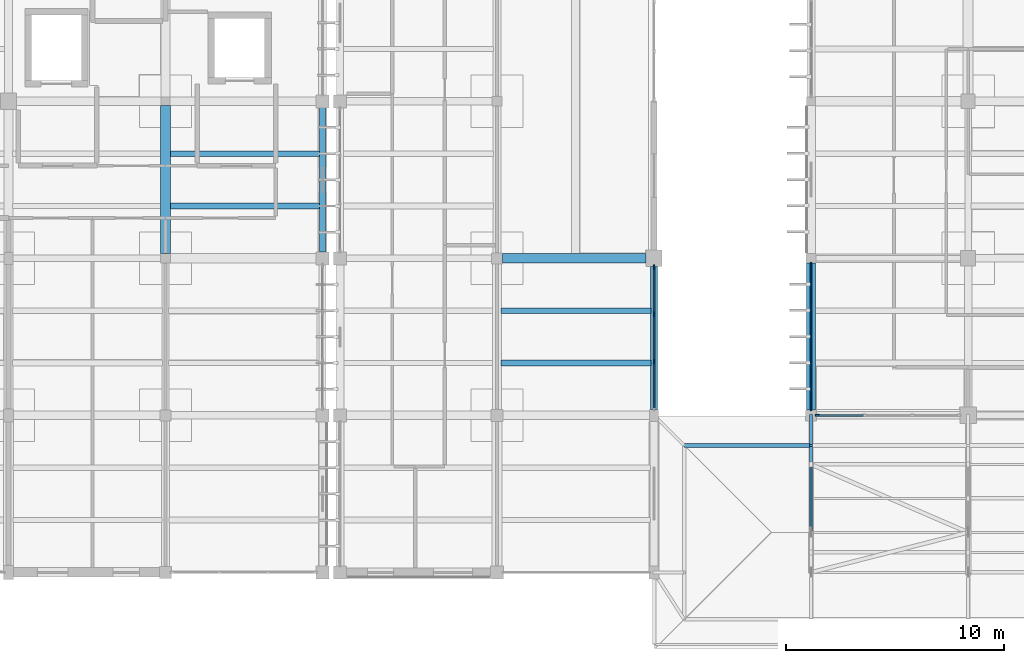
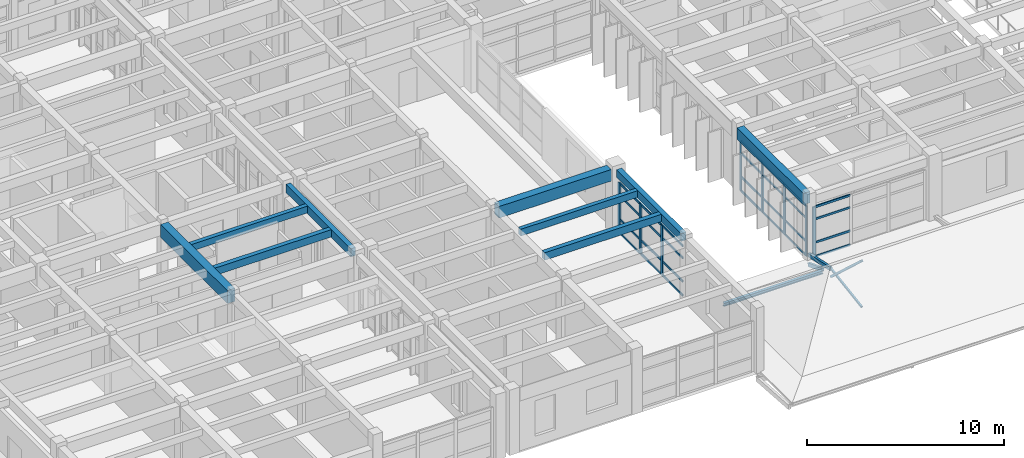
# One storey, part 19 of 100: 41 members, 9 beams, 3 elements without a shape of their own.
"""IFC4 building model written with IfcOpenShell, lengths in metres."""

from ifc_helpers import new_model, si_unit, direction, frame, origin, origin_2d, place, context, subcontext, project, spatial, rectangle, hollow_rectangle, i_section, extrude, material, material_profile, profile_set, type_object, element, aggregate, save


model = new_model("IFC4")

# Units and contexts
model_context = context("Model", 3, precision=1e-05, world=origin(), true_north=direction((0.0, 1.0)))
body_context = subcontext(model_context, "Body", "Model", "MODEL_VIEW")
ifc_project = project(units=[si_unit("LENGTHUNIT", "METRE"), si_unit("AREAUNIT", "SQUARE_METRE"), si_unit("VOLUMEUNIT", "CUBIC_METRE"), si_unit("PLANEANGLEUNIT", "RADIAN"), si_unit("MASSUNIT", "GRAM", prefix="KILO")], contexts=[model_context])

# Site, building, storey
site_placement = place(None, origin())
site = spatial("IfcSite", under=ifc_project, at=site_placement, CompositionType="ELEMENT")
building_placement = place(site_placement, origin())
building = spatial("IfcBuilding", under=site, at=building_placement, Name="Steenspoor Specialist Clinic", CompositionType="ELEMENT")
storey_placement = place(building_placement, frame((0.0, 0.0, 9.0)))
storey = spatial("IfcBuildingStorey", under=building, at=storey_placement, Name="L02", CompositionType="ELEMENT", Elevation=9.0)

# Beams
ifc_material_1 = material(Name="Concrete C35/45", Category="concrete")
ifc_material_profile_1 = material_profile(ifc_material_1, rectangle(XDim=0.300048828125, YDim=0.47998046875, at=origin_2d()), Name="RC-BM-300X480")
ifc_profile_set_1 = profile_set([ifc_material_profile_1], Name="Concrete C35/45")
beam_type_1 = type_object("IfcBeamType", Name="BM-RC-300X480", PredefinedType="BEAM", material=ifc_profile_set_1)
beam_1_placement = place(storey_placement, frame((66.800048828125, 72.6201171875, 3.7099609375), z_axis=(0.0, 1.0, 0.0), x_axis=(-1.0, 0.0, 0.0)))
element("IfcBeam", 1, at=beam_1_placement, inside=storey, type_object=beam_type_1, Name="BM-V4-L02-Y0698", PredefinedType="BEAM", context=body_context, shape_type="SweptSolid", body=[
    extrude(rectangle(XDim=0.300048828125, YDim=0.47998046875, at=origin_2d()), origin(), (0.0, 0.0, 1.0), 6.559814453125),
])
ifc_material_profile_2 = material_profile(ifc_material_1, rectangle(XDim=0.39990234375, YDim=0.699951171875, at=origin_2d()), Name="RC-BM-400X700")
ifc_profile_set_2 = profile_set([ifc_material_profile_2], Name="Concrete C35/45")
beam_type_2 = type_object("IfcBeamType", Name="BM-RC-400X700", PredefinedType="BEAM", material=ifc_profile_set_2)
beam_2_placement = place(storey_placement, frame((74.0, 72.594970703125, 3.60009765625), z_axis=(0.0, 1.0, 0.0), x_axis=(-1.0, 0.0, 0.0)))
element("IfcBeam", 2, at=beam_2_placement, inside=storey, type_object=beam_type_2, Name="BM-V4-L02-Y0701", PredefinedType="BEAM", context=body_context, shape_type="SweptSolid", body=[
    extrude(rectangle(XDim=0.39990234375, YDim=0.699951171875, at=origin_2d()), origin(), (0.0, 0.0, 1.0), 6.735107421875),
])
ifc_material_profile_3 = material_profile(ifc_material_1, rectangle(XDim=0.449951171875, YDim=0.719970703125, at=origin_2d()), Name="RC-BM-450X720")
ifc_profile_set_3 = profile_set([ifc_material_profile_3], Name="Concrete C35/45")
beam_type_3 = type_object("IfcBeamType", Name="BM-RC-450X720", PredefinedType="BEAM", material=ifc_profile_set_3)
beam_3_placement = place(storey_placement, frame((59.844970703125, 79.550048828125, 3.590087890625), z_axis=(1.0, 0.0, 0.0), x_axis=(0.0, 1.0, 0.0)))
element("IfcBeam", 3, at=beam_3_placement, inside=storey, type_object=beam_type_3, Name="BM-V4-L02-X0650", PredefinedType="BEAM", context=body_context, shape_type="SweptSolid", body=[
    extrude(rectangle(XDim=0.449951171875, YDim=0.719970703125, at=origin_2d()), origin(), (0.0, 0.0, 1.0), 6.5849609375),
])
ifc_material_profile_4 = material_profile(ifc_material_1, rectangle(XDim=0.449951171875, YDim=0.800048828125, at=origin_2d()), Name="RC-BM-450X800")
ifc_profile_set_4 = profile_set([ifc_material_profile_4], Name="Concrete C35/45")
beam_type_4 = type_object("IfcBeamType", Name="BM-RC-450X800", PredefinedType="BEAM", material=ifc_profile_set_4)
beam_4_placement = place(storey_placement, frame((44.39990234375, 79.77001953125, 3.550048828125), z_axis=(0.0, 1.0, 0.0), x_axis=(-1.0, 0.0, 0.0)))
element("IfcBeam", 4, at=beam_4_placement, inside=storey, type_object=beam_type_4, Name="BM-V5-L02-Y1288", PredefinedType="BEAM", context=body_context, shape_type="SweptSolid", body=[
    extrude(rectangle(XDim=0.449951171875, YDim=0.800048828125, at=origin_2d()), origin(), (0.0, 0.0, 1.0), 6.784912109375),
])

# Curtain wall, members
ifc_material_2 = material(Name="Thermally broken aluminium and low-emissivity glass", Category="aluminium")
curtain_wall_type_1 = type_object("IfcCurtainWallType", Name="CW-HALL-650X820", PredefinedType="USERDEFINED", material=ifc_material_2)
curtain_wall_1_placement = place(storey_placement, origin())
curtain_wall_1 = element("IfcCurtainWall", 5, at=curtain_wall_1_placement, inside=storey, type_object=curtain_wall_type_1, Name="Unitised Curtain Wall CW-V4-L02-098", ObjectType="UNITISED GLAZING", PredefinedType="USERDEFINED")
ifc_material_3 = material(Name="Thermally broken aluminium 6063-T6", Category="aluminium")
ifc_material_profile_5 = material_profile(ifc_material_3, rectangle(XDim=0.070068359375, YDim=0.1650390625, at=origin_2d()), Name="CWM-70X165")
ifc_profile_set_5 = profile_set([ifc_material_profile_5], Name="Thermally broken aluminium 6063-T6")
member_type_1 = type_object("IfcMemberType", Name="CW-MULL-70X165", PredefinedType="MULLION", material=ifc_profile_set_5)
member_1_placement = place(storey_placement, frame((74.0, 72.635009765625, 0.0), z_axis=(0.0, 0.0, 1.0), x_axis=(-1.0, 0.0, 0.0)))
member_1 = element("IfcMember", 6, at=member_1_placement, type_object=member_type_1, Name="CW-02 mullion 1", PredefinedType="MULLION", context=body_context, shape_type="SweptSolid", body=[
    extrude(rectangle(XDim=0.070068359375, YDim=0.1650390625, at=origin_2d()), origin(), (0.0, 0.0, 1.0), 3.1298828125),
])
member_2_placement = place(storey_placement, frame((74.0, 74.841552734375, 0.0), z_axis=(0.0, 0.0, 1.0), x_axis=(-1.0, 0.0, 0.0)))
member_2 = element("IfcMember", 7, at=member_2_placement, type_object=member_type_1, Name="CW-02 mullion 2", PredefinedType="MULLION", context=body_context, shape_type="SweptSolid", body=[
    extrude(rectangle(XDim=0.070068359375, YDim=0.1650390625, at=origin_2d()), origin(), (0.0, 0.0, 1.0), 3.1298828125),
])
member_3_placement = place(storey_placement, frame((74.0, 77.083251953125, 0.0), z_axis=(0.0, 0.0, 1.0), x_axis=(-1.0, 0.0, 0.0)))
member_3 = element("IfcMember", 8, at=member_3_placement, type_object=member_type_1, Name="CW-02 mullion 3", PredefinedType="MULLION", context=body_context, shape_type="SweptSolid", body=[
    extrude(rectangle(XDim=0.070068359375, YDim=0.1650390625, at=origin_2d()), origin(), (0.0, 0.0, 1.0), 3.1298828125),
])
member_4_placement = place(storey_placement, frame((74.0, 79.2900390625, 0.0), z_axis=(0.0, 0.0, 1.0), x_axis=(-1.0, 0.0, 0.0)))
member_4 = element("IfcMember", 9, at=member_4_placement, type_object=member_type_1, Name="CW-02 mullion 4", PredefinedType="MULLION", context=body_context, shape_type="SweptSolid", body=[
    extrude(rectangle(XDim=0.070068359375, YDim=0.1650390625, at=origin_2d()), origin(), (0.0, 0.0, 1.0), 3.1298828125),
])

# Curtain wall, member
curtain_wall_type_2 = type_object("IfcCurtainWallType", Name="CW-HALL-660X820", PredefinedType="USERDEFINED", material=ifc_material_2)
curtain_wall_2_placement = place(storey_placement, origin())
curtain_wall_2 = element("IfcCurtainWall", 10, at=curtain_wall_2_placement, inside=storey, type_object=curtain_wall_type_2, Name="Unitised Curtain Wall CW-V4-L02-097", ObjectType="UNITISED GLAZING", PredefinedType="USERDEFINED")
ifc_material_profile_6 = material_profile(ifc_material_3, rectangle(XDim=0.080078125, YDim=0.179931640625, at=origin_2d()), Name="CWM-80X180")
ifc_profile_set_6 = profile_set([ifc_material_profile_6], Name="Thermally broken aluminium 6063-T6")
member_type_2 = type_object("IfcMemberType", Name="CW-MULL-80X180", PredefinedType="MULLION", material=ifc_profile_set_6)
member_5_placement = place(storey_placement, frame((74.2900390625, 72.35009765625, 0.0), z_axis=(0.0, 0.0, 1.0), x_axis=(0.0, -1.0, 0.0)))
member_5 = element("IfcMember", 11, at=member_5_placement, type_object=member_type_2, Name="CW-01 mullion 4", PredefinedType="MULLION", context=body_context, shape_type="SweptSolid", body=[
    extrude(rectangle(XDim=0.080078125, YDim=0.179931640625, at=origin_2d()), origin(), (0.0, 0.0, 1.0), 3.1298828125),
])

# Curtain wall, members
curtain_wall_type_3 = type_object("IfcCurtainWallType", Name="CW-L00-480X415", PredefinedType="USERDEFINED", material=ifc_material_2)
curtain_wall_3_placement = place(storey_placement, origin())
curtain_wall_3 = element("IfcCurtainWall", 12, at=curtain_wall_3_placement, inside=storey, type_object=curtain_wall_type_3, Name="Unitised Curtain Wall CW-V4-L02-102", ObjectType="UNITISED GLAZING", PredefinedType="USERDEFINED")
ifc_material_profile_7 = material_profile(ifc_material_3, rectangle(XDim=0.080078125, YDim=0.219970703125, at=origin_2d()), Name="CWM-80X220")
ifc_profile_set_7 = profile_set([ifc_material_profile_7], Name="Thermally broken aluminium 6063-T6")
member_type_3 = type_object("IfcMemberType", Name="CW-MULL-80X220", PredefinedType="MULLION", material=ifc_profile_set_7)
member_6_placement = place(storey_placement, frame((66.800048828125, 79.135009765625, 0.0), z_axis=(0.0, 0.0, 1.0), x_axis=(1.0, 0.0, 0.0)))
member_6 = element("IfcMember", 13, at=member_6_placement, type_object=member_type_3, Name="CW-06 mullion 1", PredefinedType="MULLION", context=body_context, shape_type="SweptSolid", body=[
    extrude(rectangle(XDim=0.080078125, YDim=0.219970703125, at=origin_2d()), origin(), (0.0, 0.0, 1.0), 3.1298828125),
])
member_7_placement = place(storey_placement, frame((66.800048828125, 76.99169921875, 0.0), z_axis=(0.0, 0.0, 1.0), x_axis=(1.0, 0.0, 0.0)))
member_7 = element("IfcMember", 14, at=member_7_placement, type_object=member_type_3, Name="CW-06 mullion 2", PredefinedType="MULLION", context=body_context, shape_type="SweptSolid", body=[
    extrude(rectangle(XDim=0.080078125, YDim=0.219970703125, at=origin_2d()), origin(), (0.0, 0.0, 1.0), 3.1298828125),
])
member_8_placement = place(storey_placement, frame((66.800048828125, 74.808349609375, 0.0), z_axis=(0.0, 0.0, 1.0), x_axis=(1.0, 0.0, 0.0)))
member_8 = element("IfcMember", 15, at=member_8_placement, type_object=member_type_3, Name="CW-06 mullion 3", PredefinedType="MULLION", context=body_context, shape_type="SweptSolid", body=[
    extrude(rectangle(XDim=0.080078125, YDim=0.219970703125, at=origin_2d()), origin(), (0.0, 0.0, 1.0), 3.1298828125),
])

# Member
ifc_material_profile_8 = material_profile(ifc_material_3, rectangle(XDim=0.06005859375, YDim=0.114990234375, at=origin_2d()), Name="CWT-60X115")
ifc_profile_set_8 = profile_set([ifc_material_profile_8], Name="Thermally broken aluminium 6063-T6")
member_type_4 = type_object("IfcMemberType", Name="CW-TRAN-60X115", PredefinedType="USERDEFINED", material=ifc_profile_set_8)
member_9_placement = place(storey_placement, frame((74.0, 72.669921875, 0.030029296875), z_axis=(0.0, 1.0, 0.0), x_axis=(-1.0, 0.0, 0.0)))
member_9 = element("IfcMember", 16, at=member_9_placement, type_object=member_type_4, Name="CW-02 transom 1.1", ObjectType="TRANSOM", PredefinedType="USERDEFINED", context=body_context, shape_type="SweptSolid", body=[
    extrude(rectangle(XDim=0.06005859375, YDim=0.114990234375, at=origin_2d()), origin(), (0.0, 0.0, 1.0), 2.13671875),
])

member_10_placement = place(storey_placement, frame((74.0, 72.669921875, 0.89990234375), z_axis=(0.0, 1.0, 0.0), x_axis=(-1.0, 0.0, 0.0)))
member_10 = element("IfcMember", 17, at=member_10_placement, type_object=member_type_4, Name="CW-02 transom 1.2", ObjectType="TRANSOM", PredefinedType="USERDEFINED", context=body_context, shape_type="SweptSolid", body=[
    extrude(rectangle(XDim=0.06005859375, YDim=0.114990234375, at=origin_2d()), origin(), (0.0, 0.0, 1.0), 2.13671875),
])

member_11_placement = place(storey_placement, frame((74.0, 72.669921875, 2.35009765625), z_axis=(0.0, 1.0, 0.0), x_axis=(-1.0, 0.0, 0.0)))
member_11 = element("IfcMember", 18, at=member_11_placement, type_object=member_type_4, Name="CW-02 transom 1.3", ObjectType="TRANSOM", PredefinedType="USERDEFINED", context=body_context, shape_type="SweptSolid", body=[
    extrude(rectangle(XDim=0.06005859375, YDim=0.114990234375, at=origin_2d()), origin(), (0.0, 0.0, 1.0), 2.13671875),
])

member_12_placement = place(storey_placement, frame((74.0, 72.669921875, 3.10009765625), z_axis=(0.0, 1.0, 0.0), x_axis=(-1.0, 0.0, 0.0)))
member_12 = element("IfcMember", 19, at=member_12_placement, type_object=member_type_4, Name="CW-02 transom 1.4", ObjectType="TRANSOM", PredefinedType="USERDEFINED", context=body_context, shape_type="SweptSolid", body=[
    extrude(rectangle(XDim=0.06005859375, YDim=0.114990234375, at=origin_2d()), origin(), (0.0, 0.0, 1.0), 2.13671875),
])

member_13_placement = place(storey_placement, frame((74.0, 74.876708984375, 0.030029296875), z_axis=(0.0, 1.0, 0.0), x_axis=(-1.0, 0.0, 0.0)))
member_13 = element("IfcMember", 20, at=member_13_placement, type_object=member_type_4, Name="CW-02 transom 2.1", ObjectType="TRANSOM", PredefinedType="USERDEFINED", context=body_context, shape_type="SweptSolid", body=[
    extrude(rectangle(XDim=0.06005859375, YDim=0.114990234375, at=origin_2d()), origin(), (0.0, 0.0, 1.0), 2.171630859375),
])

member_14_placement = place(storey_placement, frame((74.0, 74.876708984375, 0.89990234375), z_axis=(0.0, 1.0, 0.0), x_axis=(-1.0, 0.0, 0.0)))
member_14 = element("IfcMember", 21, at=member_14_placement, type_object=member_type_4, Name="CW-02 transom 2.2", ObjectType="TRANSOM", PredefinedType="USERDEFINED", context=body_context, shape_type="SweptSolid", body=[
    extrude(rectangle(XDim=0.06005859375, YDim=0.114990234375, at=origin_2d()), origin(), (0.0, 0.0, 1.0), 2.171630859375),
])

member_15_placement = place(storey_placement, frame((74.0, 74.876708984375, 2.35009765625), z_axis=(0.0, 1.0, 0.0), x_axis=(-1.0, 0.0, 0.0)))
member_15 = element("IfcMember", 22, at=member_15_placement, type_object=member_type_4, Name="CW-02 transom 2.3", ObjectType="TRANSOM", PredefinedType="USERDEFINED", context=body_context, shape_type="SweptSolid", body=[
    extrude(rectangle(XDim=0.06005859375, YDim=0.114990234375, at=origin_2d()), origin(), (0.0, 0.0, 1.0), 2.171630859375),
])

member_16_placement = place(storey_placement, frame((74.0, 74.876708984375, 3.10009765625), z_axis=(0.0, 1.0, 0.0), x_axis=(-1.0, 0.0, 0.0)))
member_16 = element("IfcMember", 23, at=member_16_placement, type_object=member_type_4, Name="CW-02 transom 2.4", ObjectType="TRANSOM", PredefinedType="USERDEFINED", context=body_context, shape_type="SweptSolid", body=[
    extrude(rectangle(XDim=0.06005859375, YDim=0.114990234375, at=origin_2d()), origin(), (0.0, 0.0, 1.0), 2.171630859375),
])

member_17_placement = place(storey_placement, frame((74.0, 77.118408203125, 0.030029296875), z_axis=(0.0, 1.0, 0.0), x_axis=(-1.0, 0.0, 0.0)))
member_17 = element("IfcMember", 24, at=member_17_placement, type_object=member_type_4, Name="CW-02 transom 3.1", ObjectType="TRANSOM", PredefinedType="USERDEFINED", context=body_context, shape_type="SweptSolid", body=[
    extrude(rectangle(XDim=0.06005859375, YDim=0.114990234375, at=origin_2d()), origin(), (0.0, 0.0, 1.0), 2.136474609375),
])

member_18_placement = place(storey_placement, frame((74.0, 77.118408203125, 0.89990234375), z_axis=(0.0, 1.0, 0.0), x_axis=(-1.0, 0.0, 0.0)))
member_18 = element("IfcMember", 25, at=member_18_placement, type_object=member_type_4, Name="CW-02 transom 3.2", ObjectType="TRANSOM", PredefinedType="USERDEFINED", context=body_context, shape_type="SweptSolid", body=[
    extrude(rectangle(XDim=0.06005859375, YDim=0.114990234375, at=origin_2d()), origin(), (0.0, 0.0, 1.0), 2.136474609375),
])

member_19_placement = place(storey_placement, frame((74.0, 77.118408203125, 2.35009765625), z_axis=(0.0, 1.0, 0.0), x_axis=(-1.0, 0.0, 0.0)))
member_19 = element("IfcMember", 26, at=member_19_placement, type_object=member_type_4, Name="CW-02 transom 3.3", ObjectType="TRANSOM", PredefinedType="USERDEFINED", context=body_context, shape_type="SweptSolid", body=[
    extrude(rectangle(XDim=0.06005859375, YDim=0.114990234375, at=origin_2d()), origin(), (0.0, 0.0, 1.0), 2.136474609375),
])

member_20_placement = place(storey_placement, frame((74.0, 77.118408203125, 3.10009765625), z_axis=(0.0, 1.0, 0.0), x_axis=(-1.0, 0.0, 0.0)))
member_20 = element("IfcMember", 27, at=member_20_placement, type_object=member_type_4, Name="CW-02 transom 3.4", ObjectType="TRANSOM", PredefinedType="USERDEFINED", context=body_context, shape_type="SweptSolid", body=[
    extrude(rectangle(XDim=0.06005859375, YDim=0.114990234375, at=origin_2d()), origin(), (0.0, 0.0, 1.0), 2.136474609375),
])

aggregate(curtain_wall_1, [member_1, member_2, member_3, member_4, member_9, member_10, member_11, member_12, member_13, member_14, member_15, member_16, member_17, member_18, member_19, member_20])

ifc_material_profile_9 = material_profile(ifc_material_3, rectangle(XDim=0.06494140625, YDim=0.1298828125, at=origin_2d()), Name="CWT-65X130")
ifc_profile_set_9 = profile_set([ifc_material_profile_9], Name="Thermally broken aluminium 6063-T6")
member_type_5 = type_object("IfcMemberType", Name="CW-TRAN-65X130", PredefinedType="USERDEFINED", material=ifc_profile_set_9)
member_21_placement = place(storey_placement, frame((76.401611328125, 72.35009765625, 0.032470703125), z_axis=(-1.0, 0.0, 0.0), x_axis=(0.0, -1.0, 0.0)))
member_21 = element("IfcMember", 28, at=member_21_placement, type_object=member_type_5, Name="CW-01 transom 3.1", ObjectType="TRANSOM", PredefinedType="USERDEFINED", context=body_context, shape_type="SweptSolid", body=[
    extrude(rectangle(XDim=0.06494140625, YDim=0.1298828125, at=origin_2d()), origin(), (0.0, 0.0, 1.0), 2.071533203125),
])

member_22_placement = place(storey_placement, frame((76.401611328125, 72.35009765625, 0.89990234375), z_axis=(-1.0, 0.0, 0.0), x_axis=(0.0, -1.0, 0.0)))
member_22 = element("IfcMember", 29, at=member_22_placement, type_object=member_type_5, Name="CW-01 transom 3.2", ObjectType="TRANSOM", PredefinedType="USERDEFINED", context=body_context, shape_type="SweptSolid", body=[
    extrude(rectangle(XDim=0.06494140625, YDim=0.1298828125, at=origin_2d()), origin(), (0.0, 0.0, 1.0), 2.071533203125),
])

member_23_placement = place(storey_placement, frame((76.401611328125, 72.35009765625, 2.35009765625), z_axis=(-1.0, 0.0, 0.0), x_axis=(0.0, -1.0, 0.0)))
member_23 = element("IfcMember", 30, at=member_23_placement, type_object=member_type_5, Name="CW-01 transom 3.3", ObjectType="TRANSOM", PredefinedType="USERDEFINED", context=body_context, shape_type="SweptSolid", body=[
    extrude(rectangle(XDim=0.06494140625, YDim=0.1298828125, at=origin_2d()), origin(), (0.0, 0.0, 1.0), 2.071533203125),
])

member_24_placement = place(storey_placement, frame((76.401611328125, 72.35009765625, 3.097412109375), z_axis=(-1.0, 0.0, 0.0), x_axis=(0.0, -1.0, 0.0)))
member_24 = element("IfcMember", 31, at=member_24_placement, type_object=member_type_5, Name="CW-01 transom 3.4", ObjectType="TRANSOM", PredefinedType="USERDEFINED", context=body_context, shape_type="SweptSolid", body=[
    extrude(rectangle(XDim=0.06494140625, YDim=0.1298828125, at=origin_2d()), origin(), (0.0, 0.0, 1.0), 2.071533203125),
])

aggregate(curtain_wall_2, [member_5, member_21, member_22, member_23, member_24])

member_25_placement = place(storey_placement, frame((66.800048828125, 79.094970703125, 0.032470703125), z_axis=(0.0, -1.0, 0.0), x_axis=(1.0, 0.0, 0.0)))
member_25 = element("IfcMember", 32, at=member_25_placement, type_object=member_type_5, Name="CW-06 transom 1.1", ObjectType="TRANSOM", PredefinedType="USERDEFINED", context=body_context, shape_type="SweptSolid", body=[
    extrude(rectangle(XDim=0.06494140625, YDim=0.1298828125, at=origin_2d()), origin(), (0.0, 0.0, 1.0), 2.063232421875),
])

member_26_placement = place(storey_placement, frame((66.800048828125, 79.094970703125, 0.89990234375), z_axis=(0.0, -1.0, 0.0), x_axis=(1.0, 0.0, 0.0)))
member_26 = element("IfcMember", 33, at=member_26_placement, type_object=member_type_5, Name="CW-06 transom 1.2", ObjectType="TRANSOM", PredefinedType="USERDEFINED", context=body_context, shape_type="SweptSolid", body=[
    extrude(rectangle(XDim=0.06494140625, YDim=0.1298828125, at=origin_2d()), origin(), (0.0, 0.0, 1.0), 2.063232421875),
])

member_27_placement = place(storey_placement, frame((66.800048828125, 79.094970703125, 2.35009765625), z_axis=(0.0, -1.0, 0.0), x_axis=(1.0, 0.0, 0.0)))
member_27 = element("IfcMember", 34, at=member_27_placement, type_object=member_type_5, Name="CW-06 transom 1.3", ObjectType="TRANSOM", PredefinedType="USERDEFINED", context=body_context, shape_type="SweptSolid", body=[
    extrude(rectangle(XDim=0.06494140625, YDim=0.1298828125, at=origin_2d()), origin(), (0.0, 0.0, 1.0), 2.063232421875),
])

member_28_placement = place(storey_placement, frame((66.800048828125, 79.094970703125, 3.097412109375), z_axis=(0.0, -1.0, 0.0), x_axis=(1.0, 0.0, 0.0)))
member_28 = element("IfcMember", 35, at=member_28_placement, type_object=member_type_5, Name="CW-06 transom 1.4", ObjectType="TRANSOM", PredefinedType="USERDEFINED", context=body_context, shape_type="SweptSolid", body=[
    extrude(rectangle(XDim=0.06494140625, YDim=0.1298828125, at=origin_2d()), origin(), (0.0, 0.0, 1.0), 2.063232421875),
])

member_29_placement = place(storey_placement, frame((66.800048828125, 76.95166015625, 0.032470703125), z_axis=(0.0, -1.0, 0.0), x_axis=(1.0, 0.0, 0.0)))
member_29 = element("IfcMember", 36, at=member_29_placement, type_object=member_type_5, Name="CW-06 transom 2.1", ObjectType="TRANSOM", PredefinedType="USERDEFINED", context=body_context, shape_type="SweptSolid", body=[
    extrude(rectangle(XDim=0.06494140625, YDim=0.1298828125, at=origin_2d()), origin(), (0.0, 0.0, 1.0), 2.103271484375),
])

member_30_placement = place(storey_placement, frame((66.800048828125, 76.95166015625, 0.89990234375), z_axis=(0.0, -1.0, 0.0), x_axis=(1.0, 0.0, 0.0)))
member_30 = element("IfcMember", 37, at=member_30_placement, type_object=member_type_5, Name="CW-06 transom 2.2", ObjectType="TRANSOM", PredefinedType="USERDEFINED", context=body_context, shape_type="SweptSolid", body=[
    extrude(rectangle(XDim=0.06494140625, YDim=0.1298828125, at=origin_2d()), origin(), (0.0, 0.0, 1.0), 2.103271484375),
])

member_31_placement = place(storey_placement, frame((66.800048828125, 76.95166015625, 2.35009765625), z_axis=(0.0, -1.0, 0.0), x_axis=(1.0, 0.0, 0.0)))
member_31 = element("IfcMember", 38, at=member_31_placement, type_object=member_type_5, Name="CW-06 transom 2.3", ObjectType="TRANSOM", PredefinedType="USERDEFINED", context=body_context, shape_type="SweptSolid", body=[
    extrude(rectangle(XDim=0.06494140625, YDim=0.1298828125, at=origin_2d()), origin(), (0.0, 0.0, 1.0), 2.103271484375),
])

member_32_placement = place(storey_placement, frame((66.800048828125, 76.95166015625, 3.097412109375), z_axis=(0.0, -1.0, 0.0), x_axis=(1.0, 0.0, 0.0)))
member_32 = element("IfcMember", 39, at=member_32_placement, type_object=member_type_5, Name="CW-06 transom 2.4", ObjectType="TRANSOM", PredefinedType="USERDEFINED", context=body_context, shape_type="SweptSolid", body=[
    extrude(rectangle(XDim=0.06494140625, YDim=0.1298828125, at=origin_2d()), origin(), (0.0, 0.0, 1.0), 2.103271484375),
])

member_33_placement = place(storey_placement, frame((66.800048828125, 74.768310546875, 0.032470703125), z_axis=(0.0, -1.0, 0.0), x_axis=(1.0, 0.0, 0.0)))
member_33 = element("IfcMember", 40, at=member_33_placement, type_object=member_type_5, Name="CW-06 transom 3.1", ObjectType="TRANSOM", PredefinedType="USERDEFINED", context=body_context, shape_type="SweptSolid", body=[
    extrude(rectangle(XDim=0.06494140625, YDim=0.1298828125, at=origin_2d()), origin(), (0.0, 0.0, 1.0), 2.063232421875),
])

member_34_placement = place(storey_placement, frame((66.800048828125, 74.768310546875, 0.89990234375), z_axis=(0.0, -1.0, 0.0), x_axis=(1.0, 0.0, 0.0)))
member_34 = element("IfcMember", 41, at=member_34_placement, type_object=member_type_5, Name="CW-06 transom 3.2", ObjectType="TRANSOM", PredefinedType="USERDEFINED", context=body_context, shape_type="SweptSolid", body=[
    extrude(rectangle(XDim=0.06494140625, YDim=0.1298828125, at=origin_2d()), origin(), (0.0, 0.0, 1.0), 2.063232421875),
])

member_35_placement = place(storey_placement, frame((66.800048828125, 74.768310546875, 2.35009765625), z_axis=(0.0, -1.0, 0.0), x_axis=(1.0, 0.0, 0.0)))
member_35 = element("IfcMember", 42, at=member_35_placement, type_object=member_type_5, Name="CW-06 transom 3.3", ObjectType="TRANSOM", PredefinedType="USERDEFINED", context=body_context, shape_type="SweptSolid", body=[
    extrude(rectangle(XDim=0.06494140625, YDim=0.1298828125, at=origin_2d()), origin(), (0.0, 0.0, 1.0), 2.063232421875),
])

member_36_placement = place(storey_placement, frame((66.800048828125, 74.768310546875, 3.097412109375), z_axis=(0.0, -1.0, 0.0), x_axis=(1.0, 0.0, 0.0)))
member_36 = element("IfcMember", 43, at=member_36_placement, type_object=member_type_5, Name="CW-06 transom 3.4", ObjectType="TRANSOM", PredefinedType="USERDEFINED", context=body_context, shape_type="SweptSolid", body=[
    extrude(rectangle(XDim=0.06494140625, YDim=0.1298828125, at=origin_2d()), origin(), (0.0, 0.0, 1.0), 2.063232421875),
])

aggregate(curtain_wall_3, [member_6, member_7, member_8, member_25, member_26, member_27, member_28, member_29, member_30, member_31, member_32, member_33, member_34, member_35, member_36])

# Beams
ifc_material_profile_10 = material_profile(ifc_material_1, rectangle(XDim=0.239990234375, YDim=0.419921875, at=origin_2d()), Name="RC-JT-240X420")
ifc_profile_set_10 = profile_set([ifc_material_profile_10], Name="Concrete C35/45")
beam_type_5 = type_object("IfcBeamType", Name="JT-RC-240X420", PredefinedType="JOIST", material=ifc_profile_set_10)
beam_5_placement = place(storey_placement, frame((59.794921875, 77.14990234375, 3.739990234375), z_axis=(1.0, 0.0, 0.0), x_axis=(0.0, 1.0, 0.0)))
element("IfcBeam", 44, at=beam_5_placement, inside=storey, type_object=beam_type_5, Name="JT-V4-L02-0752", PredefinedType="JOIST", context=body_context, shape_type="SweptSolid", body=[
    extrude(rectangle(XDim=0.239990234375, YDim=0.419921875, at=origin_2d()), origin(), (0.0, 0.0, 1.0), 6.860107421875),
])
beam_6_placement = place(storey_placement, frame((44.6201171875, 84.35009765625, 3.739990234375), z_axis=(1.0, 0.0, 0.0), x_axis=(0.0, 1.0, 0.0)))
element("IfcBeam", 45, at=beam_6_placement, inside=storey, type_object=beam_type_5, Name="JT-V5-L02-1330", PredefinedType="JOIST", context=body_context, shape_type="SweptSolid", body=[
    extrude(rectangle(XDim=0.239990234375, YDim=0.419921875, at=origin_2d()), origin(), (0.0, 0.0, 1.0), 6.844970703125),
])
ifc_material_profile_11 = material_profile(ifc_material_1, rectangle(XDim=0.260009765625, YDim=0.4599609375, at=origin_2d()), Name="RC-JT-260X460")
ifc_profile_set_11 = profile_set([ifc_material_profile_11], Name="Concrete C35/45")
beam_type_6 = type_object("IfcBeamType", Name="JT-RC-260X460", PredefinedType="JOIST", material=ifc_profile_set_11)
beam_7_placement = place(storey_placement, frame((59.794921875, 74.75, 3.719970703125), z_axis=(1.0, 0.0, 0.0), x_axis=(0.0, 1.0, 0.0)))
element("IfcBeam", 46, at=beam_7_placement, inside=storey, type_object=beam_type_6, Name="JT-V4-L02-0751", PredefinedType="JOIST", context=body_context, shape_type="SweptSolid", body=[
    extrude(rectangle(XDim=0.260009765625, YDim=0.4599609375, at=origin_2d()), origin(), (0.0, 0.0, 1.0), 6.860107421875),
])
beam_8_placement = place(storey_placement, frame((44.6201171875, 81.949951171875, 3.719970703125), z_axis=(1.0, 0.0, 0.0), x_axis=(0.0, 1.0, 0.0)))
element("IfcBeam", 47, at=beam_8_placement, inside=storey, type_object=beam_type_6, Name="JT-V5-L02-1329", PredefinedType="JOIST", context=body_context, shape_type="SweptSolid", body=[
    extrude(rectangle(XDim=0.260009765625, YDim=0.4599609375, at=origin_2d()), origin(), (0.0, 0.0, 1.0), 6.844970703125),
])

# Members
ifc_material_4 = material(Name="Steel A500 Grade C", Category="steel")
ifc_material_profile_12 = material_profile(ifc_material_4, hollow_rectangle(XDim=0.126953125, YDim=0.126953125, WallThickness=0.005859375, at=origin_2d()), Name="HSS127X127X6.4")
ifc_profile_set_12 = profile_set([ifc_material_profile_12], Name="Steel A500 Grade C")
member_type_6 = type_object("IfcMemberType", Name="MEM-BRACE-H127B", PredefinedType="BRACE", material=ifc_profile_set_12)
member_37_placement = place(storey_placement, frame((74.0, 66.985107421875, 3.125244140625), z_axis=(0.0, 0.735163415087, -0.677889926992), x_axis=(-1.0, 0.0, 0.0)))
element("IfcMember", 48, at=member_37_placement, inside=storey, type_object=member_type_6, Name="ROOF TRUSS Web Brace V4T1 2.2", PredefinedType="BRACE", context=body_context, shape_type="SweptSolid", body=[
    extrude(hollow_rectangle(XDim=0.126953125, YDim=0.126953125, WallThickness=0.005859375, at=origin_2d()), origin(), (0.0, 0.0, 1.0), 4.237060546875),
])
ifc_material_5 = material(Name="Steel A992 Grade 50", Category="steel")
ifc_material_profile_13 = material_profile(ifc_material_5, i_section(OverallWidth=0.1650390625, OverallDepth=0.200927734375, WebThickness=0.006103515625, FlangeThickness=0.01025390625, at=origin_2d()), Name="W200X36")
ifc_profile_set_13 = profile_set([ifc_material_profile_13], Name="Steel A992 Grade 50")
member_type_7 = type_object("IfcMemberType", Name="MEM-PURLIN-W200", PredefinedType="PURLIN", material=ifc_profile_set_13)
member_38_placement = place(storey_placement, frame((68.179931640625, 70.969970703125, 0.0439453125), z_axis=(1.0, 0.0, 0.0), x_axis=(0.0, 1.0, 0.0)))
element("IfcMember", 49, at=member_38_placement, inside=storey, type_object=member_type_7, Name="ROOF TRUSS Knuckle Purlin 201", PredefinedType="PURLIN", context=body_context, shape_type="SweptSolid", body=[
    extrude(i_section(OverallWidth=0.1650390625, OverallDepth=0.200927734375, WebThickness=0.006103515625, FlangeThickness=0.01025390625, at=origin_2d()), origin(), (0.0, 0.0, 1.0), 5.820068359375),
])
ifc_material_6 = material(Name="Glulam GL28h", Category="wood")
ifc_material_profile_14 = material_profile(ifc_material_6, rectangle(XDim=0.139892578125, YDim=0.219970703125, at=origin_2d()), Name="GL28H-140X220")
ifc_profile_set_14 = profile_set([ifc_material_profile_14], Name="Glulam GL28h")
member_type_8 = type_object("IfcMemberType", Name="MEM-RAFTER-GL220", PredefinedType="RAFTER", material=ifc_profile_set_14)
member_39_placement = place(storey_placement, frame((74.0, 72.35009765625, -0.356201171875), z_axis=(0.0, -0.932915349138, 0.360095753019), x_axis=(1.0, 0.0, 0.0)))
element("IfcMember", 50, at=member_39_placement, inside=storey, type_object=member_type_8, Name="ROOF TRUSS Knuckle Rafter V4T1 118", PredefinedType="RAFTER", context=body_context, shape_type="SweptSolid", body=[
    extrude(rectangle(XDim=0.139892578125, YDim=0.219970703125, at=origin_2d()), origin(), (0.0, 0.0, 1.0), 1.479248046875),
])
member_40_placement = place(storey_placement, frame((74.0, 72.35009765625, 0.2529296875), z_axis=(0.0, -0.978189053045, 0.207716577345), x_axis=(1.0, 0.0, 0.0)))
element("IfcMember", 51, at=member_40_placement, inside=storey, type_object=member_type_8, Name="ROOF TRUSS Heel Strut V4T1 N 2", PredefinedType="RAFTER", context=body_context, shape_type="SweptSolid", body=[
    extrude(rectangle(XDim=0.139892578125, YDim=0.219970703125, at=origin_2d()), origin(), (0.0, 0.0, 1.0), 2.300048828125),
])
ifc_material_profile_15 = material_profile(ifc_material_4, hollow_rectangle(XDim=0.1015625, YDim=0.1015625, WallThickness=0.005859375, at=origin_2d()), Name="HSS102X102X6.4")
ifc_profile_set_15 = profile_set([ifc_material_profile_15], Name="Steel A500 Grade C")
member_type_9 = type_object("IfcMemberType", Name="MEM-STRUT-H102", PredefinedType="STRUT", material=ifc_profile_set_15)
member_41_placement = place(storey_placement, frame((74.0, 66.985107421875, 0.2529296875), z_axis=(0.0, 0.988440557796, 0.151608916969), x_axis=(-1.0, 0.0, 0.0)))
element("IfcMember", 52, at=member_41_placement, inside=storey, type_object=member_type_9, Name="ROOF TRUSS Web Strut V4T1 2.2", PredefinedType="STRUT", context=body_context, shape_type="SweptSolid", body=[
    extrude(hollow_rectangle(XDim=0.1015625, YDim=0.1015625, WallThickness=0.005859375, at=origin_2d()), origin(), (0.0, 0.0, 1.0), 3.1513671875),
])

# Beam
ifc_material_profile_16 = material_profile(ifc_material_1, rectangle(XDim=0.280029296875, YDim=0.5, at=origin_2d()), Name="RC-SP-280X500")
ifc_profile_set_16 = profile_set([ifc_material_profile_16], Name="Concrete C35/45")
beam_type_7 = type_object("IfcBeamType", Name="SP-RC-280X500", PredefinedType="SPANDREL", material=ifc_profile_set_16)
beam_9_placement = place(storey_placement, frame((51.60009765625, 79.844970703125, 3.699951171875), z_axis=(0.0, 1.0, 0.0), x_axis=(-1.0, 0.0, 0.0)))
element("IfcBeam", 53, at=beam_9_placement, inside=storey, type_object=beam_type_7, Name="BM-V5-L02-Y1294", PredefinedType="SPANDREL", context=body_context, shape_type="SweptSolid", body=[
    extrude(rectangle(XDim=0.280029296875, YDim=0.5, at=origin_2d()), origin(), (0.0, 0.0, 1.0), 6.610107421875),
])

save(model, "model.ifc")
